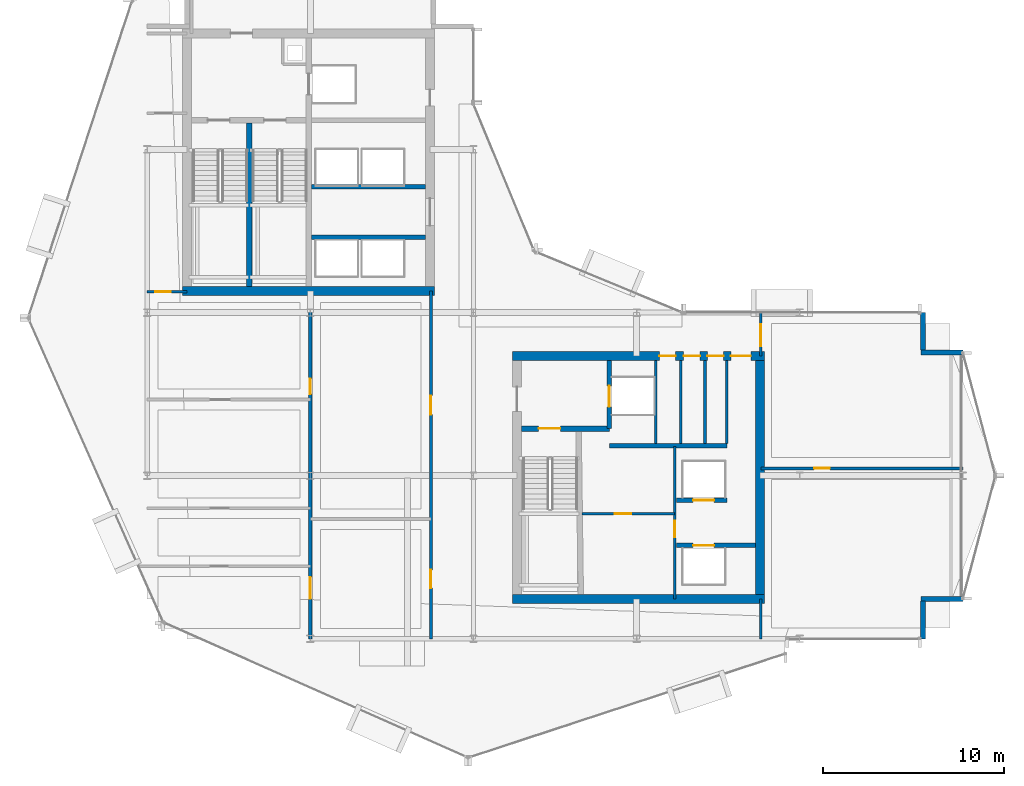
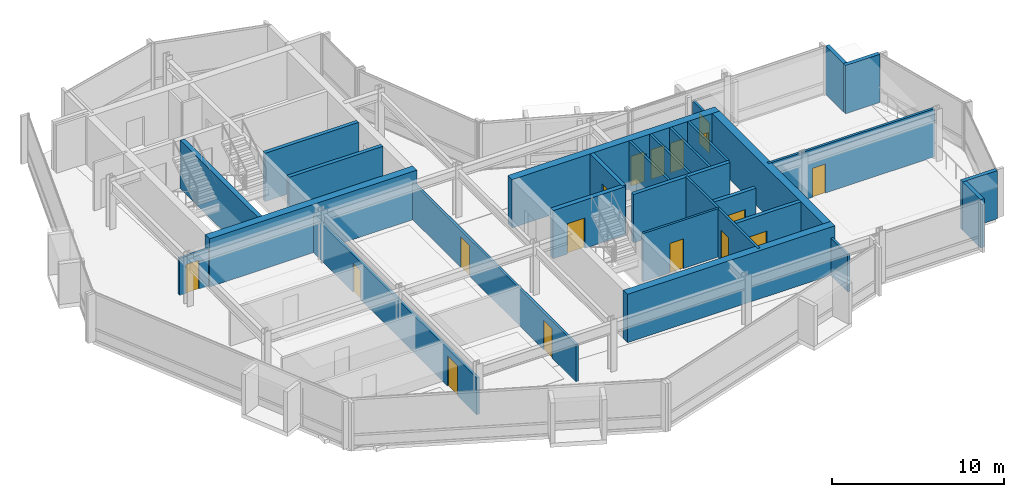
# One storey, part 20 of 27: 28 walls, 17 doors, 17 openings.
"""IFC4 building model written with IfcOpenShell, lengths in metres."""

from ifc_helpers import new_model, si_unit, direction, frame, frame_2d, origin, place, context, subcontext, project, spatial, rectangle, extrude, material, layer, layer_set, type_object, element, fill, save


model = new_model("IFC4")

# Units and contexts
model_context = context("Model", 3, precision=1e-05, world=origin(), true_north=direction((0.0, 1.0)))
body_context = subcontext(model_context, "Body", "Model", "MODEL_VIEW")
ifc_project = project(units=[si_unit("LENGTHUNIT", "METRE"), si_unit("AREAUNIT", "SQUARE_METRE"), si_unit("VOLUMEUNIT", "CUBIC_METRE"), si_unit("PLANEANGLEUNIT", "RADIAN"), si_unit("MASSUNIT", "GRAM", prefix="KILO")], contexts=[model_context])

# Site, building, storey
site_placement = place(None, origin())
site = spatial("IfcSite", under=ifc_project, at=site_placement, CompositionType="ELEMENT")
building_placement = place(site_placement, origin())
building = spatial("IfcBuilding", under=site, at=building_placement, Name="Solvaryn Broadcast Tower", CompositionType="ELEMENT")
storey_placement = place(building_placement, frame((0.0, 0.0, 181.60009765625)))
storey = spatial("IfcBuildingStorey", under=building, at=storey_placement, Name="L45", CompositionType="ELEMENT", Elevation=181.60009765625)

# Walls
ifc_material_1 = material(Name="Concrete f'c 70 MPa", Category="concrete")
ifc_layer_1 = layer(ifc_material_1, 0.5)
ifc_layer_set_1 = layer_set([ifc_layer_1], Name="CW-SHEAR-500")
wall_type_1 = type_object("IfcWallType", Name="CW-SHEAR-500", PredefinedType="SHEAR", material=ifc_layer_set_1)
for number, where, z_axis, x_axis, name in (
    (1, (10.949951171875, 28.199951171875, 0.0), (0.0, 0.0, 1.0), (1.0, 0.0, 0.0), "L45 West Core South Shear Wall"),
    (2, (29.14990234375, 11.199951171875, 0.0), (0.0, 0.0, 1.0), (1.0, 0.0, 0.0), "L45 East Core South Shear Wall"),
):
    element("IfcWall", number, at=place(storey_placement, frame(where, z_axis=z_axis, x_axis=x_axis)), inside=storey, type_object=wall_type_1, Name=name, PredefinedType="SHEAR", context=body_context, shape_type="SweptSolid", body=[
        extrude(rectangle(XDim=13.900146484375, YDim=0.5, at=frame_2d((6.9501953125, 0.0))), origin(), (0.0, 0.0, 1.0), 3.419921875),
    ])

# Wall, openings, doors
wall_1_placement = place(storey_placement, frame((43.050048828125, 24.60009765625, 0.0), z_axis=(0.0, 0.0, 1.0), x_axis=(-1.0, 0.0, 0.0)))
wall_1 = element("IfcWall", 3, at=wall_1_placement, inside=storey, type_object=wall_type_1, Name="L45 East Core North Shear Wall", PredefinedType="SHEAR", context=body_context, shape_type="SweptSolid", body=[
    extrude(rectangle(XDim=13.900146484375, YDim=0.5, at=frame_2d((6.9501953125, 0.0))), origin(), (0.0, 0.0, 1.0), 3.419921875),
])
opening_1_placement = place(wall_1_placement, frame((0.75, 0.0, 0.0)))
opening_1 = element("IfcOpeningElement", 4, at=opening_1_placement, cuts=wall_1, Name="Opening FD90C", PredefinedType="OPENING", context=body_context, shape_type="SweptSolid", body=[
    extrude(rectangle(XDim=1.10009765625, YDim=2.14990234375, at=frame_2d((0.550048828125, 1.074951171875))), frame((0.0, 0.260009765625, 0.0), z_axis=(0.0, -1.0, 0.0), x_axis=(1.0, 0.0, 0.0)), (0.0, 0.0, 1.0), 0.52001953125),
])
opening_2_placement = place(wall_1_placement, frame((2.25, 0.0, 0.0)))
opening_2 = element("IfcOpeningElement", 5, at=opening_2_placement, cuts=wall_1, Name="Opening FD60C", PredefinedType="OPENING", context=body_context, shape_type="SweptSolid", body=[
    extrude(rectangle(XDim=0.89990234375, YDim=2.10009765625, at=frame_2d((0.449951171875, 1.050048828125))), frame((0.0, 0.260009765625, 0.0), z_axis=(0.0, -1.0, 0.0), x_axis=(1.0, 0.0, 0.0)), (0.0, 0.0, 1.0), 0.52001953125),
])
opening_3_placement = place(wall_1_placement, frame((3.550048828125, 0.0, 0.0)))
opening_3 = element("IfcOpeningElement", 6, at=opening_3_placement, cuts=wall_1, Name="Opening FD60C", PredefinedType="OPENING", context=body_context, shape_type="SweptSolid", body=[
    extrude(rectangle(XDim=0.89990234375, YDim=2.10009765625, at=frame_2d((0.449951171875, 1.050048828125))), frame((0.0, 0.260009765625, 0.0), z_axis=(0.0, -1.0, 0.0), x_axis=(1.0, 0.0, 0.0)), (0.0, 0.0, 1.0), 0.52001953125),
])
opening_4_placement = place(wall_1_placement, frame((4.89990234375, 0.0, 0.0)))
opening_4 = element("IfcOpeningElement", 7, at=opening_4_placement, cuts=wall_1, Name="Opening FD60C", PredefinedType="OPENING", context=body_context, shape_type="SweptSolid", body=[
    extrude(rectangle(XDim=0.89990234375, YDim=2.10009765625, at=frame_2d((0.449951171875, 1.050048828125))), frame((0.0, 0.260009765625, 0.0), z_axis=(0.0, -1.0, 0.0), x_axis=(1.0, 0.0, 0.0)), (0.0, 0.0, 1.0), 0.52001953125),
])
ifc_material_2 = material(Name="Flush Acoustic Steel and Timber Door Assembly", Category="steel")
door_type_1 = type_object("IfcDoorType", Name="FD60-SERV-900X2100", OperationType="NOTDEFINED", PredefinedType="DOOR", material=ifc_material_2)
door_1_placement = place(opening_2_placement, origin())
door_1 = element("IfcDoor", 8, at=door_1_placement, inside=storey, type_object=door_type_1, Name="L45 Core Wellness Room Door", OperationType="SINGLE_SWING_RIGHT", OverallHeight=2.10009765625, OverallWidth=0.89990234375, PredefinedType="DOOR", context=body_context, shape_type="SweptSolid", body=[
    extrude(rectangle(XDim=0.89990234375, YDim=2.10009765625, at=frame_2d((0.449951171875, 1.050048828125))), frame((0.0, 0.02490234375, 0.0), z_axis=(0.0, -1.0, 0.0), x_axis=(1.0, 0.0, 0.0)), (0.0, 0.0, 1.0), 0.050048828125),
])
fill(opening_2, door_1)
door_2_placement = place(opening_3_placement, origin())
door_2 = element("IfcDoor", 9, at=door_2_placement, inside=storey, type_object=door_type_1, Name="L45 Staff Restroom Door", OperationType="SINGLE_SWING_LEFT", OverallHeight=2.10009765625, OverallWidth=0.89990234375, PredefinedType="DOOR", context=body_context, shape_type="SweptSolid", body=[
    extrude(rectangle(XDim=0.89990234375, YDim=2.10009765625, at=frame_2d((0.449951171875, 1.050048828125))), frame((0.0, 0.02490234375, 0.0), z_axis=(0.0, -1.0, 0.0), x_axis=(1.0, 0.0, 0.0)), (0.0, 0.0, 1.0), 0.050048828125),
])
fill(opening_3, door_2)
door_3_placement = place(opening_4_placement, origin())
door_3 = element("IfcDoor", 10, at=door_3_placement, inside=storey, type_object=door_type_1, Name="L45 Accessible WC Door", OperationType="SINGLE_SWING_RIGHT", OverallHeight=2.10009765625, OverallWidth=0.89990234375, PredefinedType="DOOR", context=body_context, shape_type="SweptSolid", body=[
    extrude(rectangle(XDim=0.89990234375, YDim=2.10009765625, at=frame_2d((0.449951171875, 1.050048828125))), frame((0.0, 0.02490234375, 0.0), z_axis=(0.0, -1.0, 0.0), x_axis=(1.0, 0.0, 0.0)), (0.0, 0.0, 1.0), 0.050048828125),
])
fill(opening_4, door_3)
ifc_material_3 = material(Name="Flush Acoustic Steel and Timber Door Assembly", Category="steel")
door_type_2 = type_object("IfcDoorType", Name="FD90-PLANT-1100X2150", OperationType="NOTDEFINED", PredefinedType="DOOR", material=ifc_material_3)
door_4_placement = place(opening_1_placement, origin())
door_4 = element("IfcDoor", 11, at=door_4_placement, inside=storey, type_object=door_type_2, Name="L45 East Core Lobby Corridor Door", OperationType="SINGLE_SWING_LEFT", OverallHeight=2.14990234375, OverallWidth=1.10009765625, PredefinedType="DOOR", context=body_context, shape_type="SweptSolid", body=[
    extrude(rectangle(XDim=1.10009765625, YDim=2.14990234375, at=frame_2d((0.550048828125, 1.074951171875))), frame((0.0, 0.02490234375, 0.0), z_axis=(0.0, -1.0, 0.0), x_axis=(1.0, 0.0, 0.0)), (0.0, 0.0, 1.0), 0.050048828125),
])
fill(opening_1, door_4)

# Walls
wall_2_placement = place(storey_placement, frame((42.800048828125, 11.449951171875, 0.0), z_axis=(0.0, 0.0, 1.0), x_axis=(0.0, 1.0, 0.0)))
element("IfcWall", 12, at=wall_2_placement, inside=storey, type_object=wall_type_1, Name="L45 East Core East Shear Wall", PredefinedType="SHEAR", context=body_context, shape_type="SweptSolid", body=[
    extrude(rectangle(XDim=12.900146484375, YDim=0.5, at=frame_2d((6.4501953125, 0.0))), origin(), (0.0, 0.0, 1.0), 3.419921875),
])
ifc_material_4 = material(Name="Concrete f'c 50 MPa", Category="concrete")
ifc_layer_2 = layer(ifc_material_4, 0.260009765625)
ifc_layer_set_2 = layer_set([ifc_layer_2], Name="EW-PIER-260")
wall_type_2 = type_object("IfcWallType", Name="EW-PIER-260", PredefinedType="SOLIDWALL", material=ifc_layer_set_2)
wall_3_placement = place(storey_placement, frame((51.800048828125, 9.0, 0.0), z_axis=(0.0, 0.0, 1.0), x_axis=(0.0, 1.0, 0.0)))
element("IfcWall", 13, at=wall_3_placement, inside=storey, type_object=wall_type_2, Name="L45 Notched Corner Pier Wall NSE1", PredefinedType="SOLIDWALL", context=body_context, shape_type="SweptSolid", body=[
    extrude(rectangle(XDim=2.080078125, YDim=0.260009765625, at=frame_2d((1.0400390625, 0.0))), origin(), (0.0, 0.0, 1.0), 3.419921875),
])
for number, where, z_axis, x_axis, name in (
    (14, (51.679931640625, 11.199951171875, 0.0), (0.0, 0.0, 1.0), (1.0, 0.0, 0.0), "L45 Notched Corner Pier Wall NSE2"),
    (15, (54.0, 24.800048828125, 0.0), (0.0, 0.0, 1.0), (-1.0, 0.0, 0.0), "L45 Notched Corner Pier Wall NEE1"),
):
    element("IfcWall", number, at=place(storey_placement, frame(where, z_axis=z_axis, x_axis=x_axis)), inside=storey, type_object=wall_type_2, Name=name, PredefinedType="SOLIDWALL", context=body_context, shape_type="SweptSolid", body=[
        extrude(rectangle(XDim=2.320068359375, YDim=0.260009765625, at=frame_2d((1.16015625, 0.0))), origin(), (0.0, 0.0, 1.0), 3.419921875),
    ])
wall_4_placement = place(storey_placement, frame((51.800048828125, 24.919921875, 0.0), z_axis=(0.0, 0.0, 1.0), x_axis=(0.0, 1.0, 0.0)))
element("IfcWall", 16, at=wall_4_placement, inside=storey, type_object=wall_type_2, Name="L45 Notched Corner Pier Wall NEE2", PredefinedType="SOLIDWALL", context=body_context, shape_type="SweptSolid", body=[
    extrude(rectangle(XDim=2.080078125, YDim=0.260009765625, at=frame_2d((1.0400390625, 0.0))), origin(), (0.0, 0.0, 1.0), 3.419921875),
])

# Wall, opening, door
ifc_material_5 = material(Name="Metal-Stud Service Core Partition")
ifc_layer_3 = layer(ifc_material_5, 0.14990234375)
ifc_layer_set_3 = layer_set([ifc_layer_3], Name="IW-PART-150")
wall_type_3 = type_object("IfcWallType", Name="IW-PART-150", PredefinedType="PARTITIONING", material=ifc_layer_set_3)
wall_5_placement = place(storey_placement, frame((33.0, 15.89990234375, 0.0), z_axis=(0.0, 0.0, 1.0), x_axis=(1.0, 0.0, 0.0)))
wall_5 = element("IfcWall", 17, at=wall_5_placement, inside=storey, type_object=wall_type_3, Name="L45 Interior Partition IW-L45-RPL-H", PredefinedType="PARTITIONING", context=body_context, shape_type="SweptSolid", body=[
    extrude(rectangle(XDim=5.10009765625, YDim=0.14990234375, at=frame_2d((2.550048828125, 0.0))), origin(), (0.0, 0.0, 1.0), 3.419921875),
])
opening_5_placement = place(wall_5_placement, frame((1.800048828125, 0.0, 0.0)))
opening_5 = element("IfcOpeningElement", 18, at=opening_5_placement, cuts=wall_5, Name="Opening FD60C", PredefinedType="OPENING", context=body_context, shape_type="SweptSolid", body=[
    extrude(rectangle(XDim=0.89990234375, YDim=2.10009765625, at=frame_2d((0.449951171875, 1.050048828125))), frame((0.0, 0.0849609375, 0.0), z_axis=(0.0, -1.0, 0.0), x_axis=(1.0, 0.0, 0.0)), (0.0, 0.0, 1.0), 0.169921875),
])
door_5_placement = place(opening_5_placement, origin())
door_5 = element("IfcDoor", 19, at=door_5_placement, inside=storey, type_object=door_type_1, Name="L45 Door DR-L45-RPL1", OperationType="SINGLE_SWING_LEFT", OverallHeight=2.10009765625, OverallWidth=0.89990234375, PredefinedType="DOOR", context=body_context, shape_type="SweptSolid", body=[
    extrude(rectangle(XDim=0.89990234375, YDim=2.10009765625, at=frame_2d((0.449951171875, 1.050048828125))), frame((0.0, 0.02490234375, 0.0), z_axis=(0.0, -1.0, 0.0), x_axis=(1.0, 0.0, 0.0)), (0.0, 0.0, 1.0), 0.050048828125),
])
fill(opening_5, door_5)

wall_6_placement = place(storey_placement, frame((38.10009765625, 11.199951171875, 0.0), z_axis=(0.0, 0.0, 1.0), x_axis=(0.0, 1.0, 0.0)))
wall_6 = element("IfcWall", 20, at=wall_6_placement, inside=storey, type_object=wall_type_3, Name="L45 Interior Partition IW-L45-RPL-E", PredefinedType="PARTITIONING", context=body_context, shape_type="SweptSolid", body=[
    extrude(rectangle(XDim=8.400146484375, YDim=0.14990234375, at=frame_2d((4.2001953125, 0.0))), origin(), (0.0, 0.0, 1.0), 3.419921875),
])
opening_6_placement = place(wall_6_placement, frame((3.39990234375, 0.0, 0.0)))
opening_6 = element("IfcOpeningElement", 21, at=opening_6_placement, cuts=wall_6, Name="Opening FD60C", PredefinedType="OPENING", context=body_context, shape_type="SweptSolid", body=[
    extrude(rectangle(XDim=0.89990234375, YDim=2.10009765625, at=frame_2d((0.449951171875, 1.050048828125))), frame((0.0, 0.0849609375, 0.0), z_axis=(0.0, -1.0, 0.0), x_axis=(1.0, 0.0, 0.0)), (0.0, 0.0, 1.0), 0.169921875),
])
door_6_placement = place(opening_6_placement, origin())
door_6 = element("IfcDoor", 22, at=door_6_placement, inside=storey, type_object=door_type_1, Name="L45 Door DR-L45-RPL2", OperationType="SINGLE_SWING_RIGHT", OverallHeight=2.10009765625, OverallWidth=0.89990234375, PredefinedType="DOOR", context=body_context, shape_type="SweptSolid", body=[
    extrude(rectangle(XDim=0.89990234375, YDim=2.10009765625, at=frame_2d((0.449951171875, 1.050048828125))), frame((0.0, 0.02490234375, 0.0), z_axis=(0.0, -1.0, 0.0), x_axis=(1.0, 0.0, 0.0)), (0.0, 0.0, 1.0), 0.050048828125),
])
fill(opening_6, door_6)

# Walls
for number, where, z_axis, x_axis, name in (
    (23, (37.050048828125, 19.780029296875, 0.0), (0.0, 0.0, 1.0), (0.0, 1.0, 0.0), "L45 Interior Partition IW-L45-CE-FL2E"),
    (24, (38.43994140625, 19.780029296875, 0.0), (0.0, 0.0, 1.0), (0.0, 1.0, 0.0), "L45 Interior Partition IW-L45-CE-V1"),
    (25, (39.77001953125, 19.780029296875, 0.0), (0.0, 0.0, 1.0), (0.0, 1.0, 0.0), "L45 Interior Partition IW-L45-CE-V2"),
    (26, (40.97998046875, 19.780029296875, 0.0), (0.0, 0.0, 1.0), (0.0, 1.0, 0.0), "L45 Interior Partition IW-L45-CE-V3"),
):
    element("IfcWall", number, at=place(storey_placement, frame(where, z_axis=z_axis, x_axis=x_axis)), inside=storey, type_object=wall_type_3, Name=name, PredefinedType="PARTITIONING", context=body_context, shape_type="SweptSolid", body=[
        extrude(rectangle(XDim=4.570068359375, YDim=0.14990234375, at=frame_2d((2.28515625, 0.0))), origin(), (0.0, 0.0, 1.0), 3.419921875),
    ])

# Wall, opening, door
ifc_material_6 = material(Name="Metal-Stud Gypsum Office Partition")
ifc_layer_4 = layer(ifc_material_6, 0.159912109375)
ifc_layer_set_4 = layer_set([ifc_layer_4], Name="IW-PART-160")
wall_type_4 = type_object("IfcWallType", Name="IW-PART-160", PredefinedType="PARTITIONING", material=ifc_layer_set_4)
wall_7_placement = place(storey_placement, frame((9.0, 28.14990234375, 0.0), z_axis=(0.0, 0.0, 1.0), x_axis=(1.0, 0.0, 0.0)))
wall_7 = element("IfcWall", 27, at=wall_7_placement, inside=storey, type_object=wall_type_4, Name="L45 Interior Partition IW-L45-WM-S", PredefinedType="PARTITIONING", context=body_context, shape_type="SweptSolid", body=[
    extrude(rectangle(XDim=2.199951171875, YDim=0.159912109375, at=frame_2d((1.10009765625, 0.0))), origin(), (0.0, 0.0, 1.0), 2.6337890625),
])
opening_7_placement = place(wall_7_placement, frame((0.449951171875, 0.0, 0.0)))
opening_7 = element("IfcOpeningElement", 28, at=opening_7_placement, cuts=wall_7, Name="Opening ID07", PredefinedType="OPENING", context=body_context, shape_type="SweptSolid", body=[
    extrude(rectangle(XDim=0.860107421875, YDim=2.050048828125, at=frame_2d((0.43017578125, 1.02490234375))), frame((0.0, 0.090087890625, 0.0), z_axis=(0.0, -1.0, 0.0), x_axis=(1.0, 0.0, 0.0)), (0.0, 0.0, 1.0), 0.179931640625),
])
ifc_material_7 = material(Name="Flush Acoustic Steel and Timber Door Assembly", Category="steel")
door_type_3 = type_object("IfcDoorType", Name="ID-07-860X2050", OperationType="NOTDEFINED", PredefinedType="DOOR", material=ifc_material_7)
door_7_placement = place(opening_7_placement, origin())
door_7 = element("IfcDoor", 29, at=door_7_placement, inside=storey, type_object=door_type_3, Name="L45 Door DR-L45-WM0", OperationType="SINGLE_SWING_RIGHT", OverallHeight=2.050048828125, OverallWidth=0.860107421875, PredefinedType="DOOR", context=body_context, shape_type="SweptSolid", body=[
    extrude(rectangle(XDim=0.860107421875, YDim=2.050048828125, at=frame_2d((0.43017578125, 1.02490234375))), frame((0.0, 0.02490234375, 0.0), z_axis=(0.0, -1.0, 0.0), x_axis=(1.0, 0.0, 0.0)), (0.0, 0.0, 1.0), 0.050048828125),
])
fill(opening_7, door_7)

# Wall, openings, doors
wall_8_placement = place(storey_placement, frame((24.64990234375, 9.0, 0.0), z_axis=(0.0, 0.0, 1.0), x_axis=(0.0, 1.0, 0.0)))
wall_8 = element("IfcWall", 30, at=wall_8_placement, inside=storey, type_object=wall_type_4, Name="L45 Interior Partition IW-L45-SW-EB", PredefinedType="PARTITIONING", context=body_context, shape_type="SweptSolid", body=[
    extrude(rectangle(XDim=19.199951171875, YDim=0.159912109375, at=frame_2d((9.60009765625, 0.0))), origin(), (0.0, 0.0, 1.0), 2.6337890625),
])
opening_8_placement = place(wall_8_placement, frame((2.800048828125, 0.0, 0.0)))
opening_8 = element("IfcOpeningElement", 31, at=opening_8_placement, cuts=wall_8, Name="Opening ID02", PredefinedType="OPENING", context=body_context, shape_type="SweptSolid", body=[
    extrude(rectangle(XDim=1.0, YDim=2.10009765625, at=frame_2d((0.5, 1.050048828125))), frame((0.0, 0.090087890625, 0.0), z_axis=(0.0, -1.0, 0.0), x_axis=(1.0, 0.0, 0.0)), (0.0, 0.0, 1.0), 0.179931640625),
])
opening_9_placement = place(wall_8_placement, frame((12.364990234375, 0.0, 0.0)))
opening_9 = element("IfcOpeningElement", 32, at=opening_9_placement, cuts=wall_8, Name="Opening ID03", PredefinedType="OPENING", context=body_context, shape_type="SweptSolid", body=[
    extrude(rectangle(XDim=1.050048828125, YDim=2.14990234375, at=frame_2d((0.52490234375, 1.074951171875))), frame((0.0, 0.090087890625, 0.0), z_axis=(0.0, -1.0, 0.0), x_axis=(1.0, 0.0, 0.0)), (0.0, 0.0, 1.0), 0.179931640625),
])
ifc_material_8 = material(Name="Flush Acoustic Steel and Timber Door Assembly", Category="steel")
door_type_4 = type_object("IfcDoorType", Name="ID-02-1000X2100", OperationType="NOTDEFINED", PredefinedType="DOOR", material=ifc_material_8)
door_8_placement = place(opening_8_placement, origin())
door_8 = element("IfcDoor", 33, at=door_8_placement, inside=storey, type_object=door_type_4, Name="L45 Door DR-L45-SWE-1", OperationType="SINGLE_SWING_RIGHT", OverallHeight=2.10009765625, OverallWidth=1.0, PredefinedType="DOOR", context=body_context, shape_type="SweptSolid", body=[
    extrude(rectangle(XDim=1.0, YDim=2.10009765625, at=frame_2d((0.5, 1.050048828125))), frame((0.0, 0.02490234375, 0.0), z_axis=(0.0, -1.0, 0.0), x_axis=(1.0, 0.0, 0.0)), (0.0, 0.0, 1.0), 0.050048828125),
])
fill(opening_8, door_8)
ifc_material_9 = material(Name="Flush Acoustic Steel and Timber Door Assembly", Category="steel")
door_type_5 = type_object("IfcDoorType", Name="ID-03-1050X2150", OperationType="NOTDEFINED", PredefinedType="DOOR", material=ifc_material_9)
door_9_placement = place(opening_9_placement, origin())
door_9 = element("IfcDoor", 34, at=door_9_placement, inside=storey, type_object=door_type_5, Name="L45 Door DR-L45-SWE-2", OperationType="SINGLE_SWING_LEFT", OverallHeight=2.14990234375, OverallWidth=1.050048828125, PredefinedType="DOOR", context=body_context, shape_type="SweptSolid", body=[
    extrude(rectangle(XDim=1.050048828125, YDim=2.14990234375, at=frame_2d((0.52490234375, 1.074951171875))), frame((0.0, 0.02490234375, 0.0), z_axis=(0.0, -1.0, 0.0), x_axis=(1.0, 0.0, 0.0)), (0.0, 0.0, 1.0), 0.050048828125),
])
fill(opening_9, door_9)

# Wall
wall_9_placement = place(storey_placement, frame((42.85009765625, 9.0, 0.0), z_axis=(0.0, 0.0, 1.0), x_axis=(0.0, 1.0, 0.0)))
element("IfcWall", 35, at=wall_9_placement, inside=storey, type_object=wall_type_4, Name="L45 Interior Partition IW-L45-SC-E", PredefinedType="PARTITIONING", context=body_context, shape_type="SweptSolid", body=[
    extrude(rectangle(XDim=2.199951171875, YDim=0.159912109375, at=frame_2d((1.10009765625, 0.0))), origin(), (0.0, 0.0, 1.0), 2.6337890625),
])

# Wall, opening, door
wall_10_placement = place(storey_placement, frame((42.85009765625, 24.60009765625, 0.0), z_axis=(0.0, 0.0, 1.0), x_axis=(0.0, 1.0, 0.0)))
wall_10 = element("IfcWall", 36, at=wall_10_placement, inside=storey, type_object=wall_type_4, Name="L45 Interior Partition IW-L45-EW-BN", PredefinedType="PARTITIONING", context=body_context, shape_type="SweptSolid", body=[
    extrude(rectangle(XDim=2.39990234375, YDim=0.159912109375, at=frame_2d((1.199951171875, 0.0))), origin(), (0.0, 0.0, 1.0), 2.6337890625),
])
opening_10_placement = place(wall_10_placement, frame((0.550048828125, 0.0, 0.0)))
opening_10 = element("IfcOpeningElement", 37, at=opening_10_placement, cuts=wall_10, Name="Opening ID04", PredefinedType="OPENING", context=body_context, shape_type="SweptSolid", body=[
    extrude(rectangle(XDim=1.199951171875, YDim=2.14990234375, at=frame_2d((0.60009765625, 1.074951171875))), frame((0.0, 0.090087890625, 0.0), z_axis=(0.0, -1.0, 0.0), x_axis=(1.0, 0.0, 0.0)), (0.0, 0.0, 1.0), 0.179931640625),
])
ifc_material_10 = material(Name="Flush Acoustic Steel and Timber Door Assembly", Category="steel")
door_type_6 = type_object("IfcDoorType", Name="ID-04-1200X2150", OperationType="NOTDEFINED", PredefinedType="DOOR", material=ifc_material_10)
door_10_placement = place(opening_10_placement, origin())
door_10 = element("IfcDoor", 38, at=door_10_placement, inside=storey, type_object=door_type_6, Name="L45 Door DR-L45-EW0", OperationType="SINGLE_SWING_LEFT", OverallHeight=2.14990234375, OverallWidth=1.199951171875, PredefinedType="DOOR", context=body_context, shape_type="SweptSolid", body=[
    extrude(rectangle(XDim=1.199951171875, YDim=2.14990234375, at=frame_2d((0.60009765625, 1.074951171875))), frame((0.0, 0.02490234375, 0.0), z_axis=(0.0, -1.0, 0.0), x_axis=(1.0, 0.0, 0.0)), (0.0, 0.0, 1.0), 0.050048828125),
])
fill(opening_10, door_10)

wall_11_placement = place(storey_placement, frame((42.85009765625, 18.39990234375, 0.0), z_axis=(0.0, 0.0, 1.0), x_axis=(1.0, 0.0, 0.0)))
wall_11 = element("IfcWall", 39, at=wall_11_placement, inside=storey, type_object=wall_type_4, Name="L45 Interior Partition IW-L45-EW-H1", PredefinedType="PARTITIONING", context=body_context, shape_type="SweptSolid", body=[
    extrude(rectangle(XDim=11.14990234375, YDim=0.159912109375, at=frame_2d((5.574951171875, 0.0))), origin(), (0.0, 0.0, 1.0), 3.419921875),
])
opening_11_placement = place(wall_11_placement, frame((2.949951171875, 0.0, 0.0)))
opening_11 = element("IfcOpeningElement", 40, at=opening_11_placement, cuts=wall_11, Name="Opening ID07", PredefinedType="OPENING", context=body_context, shape_type="SweptSolid", body=[
    extrude(rectangle(XDim=0.860107421875, YDim=2.050048828125, at=frame_2d((0.43017578125, 1.02490234375))), frame((0.0, 0.090087890625, 0.0), z_axis=(0.0, -1.0, 0.0), x_axis=(1.0, 0.0, 0.0)), (0.0, 0.0, 1.0), 0.179931640625),
])
door_11_placement = place(opening_11_placement, origin())
door_11 = element("IfcDoor", 41, at=door_11_placement, inside=storey, type_object=door_type_3, Name="L45 Door DR-L45-EW-1", OperationType="SINGLE_SWING_RIGHT", OverallHeight=2.050048828125, OverallWidth=0.860107421875, PredefinedType="DOOR", context=body_context, shape_type="SweptSolid", body=[
    extrude(rectangle(XDim=0.860107421875, YDim=2.050048828125, at=frame_2d((0.43017578125, 1.02490234375))), frame((0.0, 0.02490234375, 0.0), z_axis=(0.0, -1.0, 0.0), x_axis=(1.0, 0.0, 0.0)), (0.0, 0.0, 1.0), 0.050048828125),
])
fill(opening_11, door_11)

# Wall, openings, doors
ifc_material_11 = material(Name="Acoustic Metal-Stud Gypsum Partition")
ifc_layer_5 = layer(ifc_material_11, 0.179931640625)
ifc_layer_set_5 = layer_set([ifc_layer_5], Name="IW-PART-180")
wall_type_5 = type_object("IfcWallType", Name="IW-PART-180", PredefinedType="PARTITIONING", material=ifc_layer_set_5)
wall_12_placement = place(storey_placement, frame((18.0, 9.0, 0.0), z_axis=(0.0, 0.0, 1.0), x_axis=(0.0, 1.0, 0.0)))
wall_12 = element("IfcWall", 42, at=wall_12_placement, inside=storey, type_object=wall_type_5, Name="L45 Interior Partition IW-L45-SW-VX", PredefinedType="PARTITIONING", context=body_context, shape_type="SweptSolid", body=[
    extrude(rectangle(XDim=19.1298828125, YDim=0.179931640625, at=frame_2d((9.56494140625, 0.0))), origin(), (0.0, 0.0, 1.0), 2.6337890625),
])
opening_12_placement = place(wall_12_placement, frame((2.199951171875, 0.0, 0.0)))
opening_12 = element("IfcOpeningElement", 43, at=opening_12_placement, cuts=wall_12, Name="Opening ID04", PredefinedType="OPENING", context=body_context, shape_type="SweptSolid", body=[
    extrude(rectangle(XDim=1.199951171875, YDim=2.14990234375, at=frame_2d((0.60009765625, 1.074951171875))), frame((0.0, 0.099853515625, 0.0), z_axis=(0.0, -1.0, 0.0), x_axis=(1.0, 0.0, 0.0)), (0.0, 0.0, 1.0), 0.199951171875),
])
opening_13_placement = place(wall_12_placement, frame((13.5, 0.0, 0.0)))
opening_13 = element("IfcOpeningElement", 44, at=opening_13_placement, cuts=wall_12, Name="Opening ID07", PredefinedType="OPENING", context=body_context, shape_type="SweptSolid", body=[
    extrude(rectangle(XDim=0.860107421875, YDim=2.050048828125, at=frame_2d((0.43017578125, 1.02490234375))), frame((0.0, 0.099853515625, 0.0), z_axis=(0.0, -1.0, 0.0), x_axis=(1.0, 0.0, 0.0)), (0.0, 0.0, 1.0), 0.199951171875),
])
door_12_placement = place(opening_12_placement, origin())
door_12 = element("IfcDoor", 45, at=door_12_placement, inside=storey, type_object=door_type_6, Name="L45 Door DR-L45-SWW-X1", OperationType="SINGLE_SWING_RIGHT", OverallHeight=2.14990234375, OverallWidth=1.199951171875, PredefinedType="DOOR", context=body_context, shape_type="SweptSolid", body=[
    extrude(rectangle(XDim=1.199951171875, YDim=2.14990234375, at=frame_2d((0.60009765625, 1.074951171875))), frame((0.0, 0.02490234375, 0.0), z_axis=(0.0, -1.0, 0.0), x_axis=(1.0, 0.0, 0.0)), (0.0, 0.0, 1.0), 0.050048828125),
])
fill(opening_12, door_12)
door_13_placement = place(opening_13_placement, origin())
door_13 = element("IfcDoor", 46, at=door_13_placement, inside=storey, type_object=door_type_3, Name="L45 Door DR-L45-SWW-X2", OperationType="SINGLE_SWING_LEFT", OverallHeight=2.050048828125, OverallWidth=0.860107421875, PredefinedType="DOOR", context=body_context, shape_type="SweptSolid", body=[
    extrude(rectangle(XDim=0.860107421875, YDim=2.050048828125, at=frame_2d((0.43017578125, 1.02490234375))), frame((0.0, 0.02490234375, 0.0), z_axis=(0.0, -1.0, 0.0), x_axis=(1.0, 0.0, 0.0)), (0.0, 0.0, 1.0), 0.050048828125),
])
fill(opening_13, door_13)

# Walls
ifc_material_12 = material(Name="Concrete f'c 60 MPa", Category="concrete")
ifc_layer_6 = layer(ifc_material_12, 0.25)
ifc_layer_set_6 = layer_set([ifc_layer_6], Name="SW-SHAFT-250")
wall_type_6 = type_object("IfcWallType", Name="SW-SHAFT-250", PredefinedType="PARTITIONING", material=ifc_layer_set_6)
for number, where, z_axis, x_axis, name in (
    (47, (18.070068359375, 31.14990234375, 0.0), (0.0, 0.0, 1.0), (1.0, 0.0, 0.0), "L45 High-Rise Lift Bank South Wall"),
    (48, (24.35009765625, 33.949951171875, 0.0), (0.0, 0.0, 1.0), (-1.0, 0.0, 0.0), "L45 High-Rise Lift Bank North Wall"),
):
    element("IfcWall", number, at=place(storey_placement, frame(where, z_axis=z_axis, x_axis=x_axis)), inside=storey, type_object=wall_type_6, Name=name, PredefinedType="PARTITIONING", context=body_context, shape_type="SweptSolid", body=[
        extrude(rectangle(XDim=6.280029296875, YDim=0.25, at=frame_2d((3.14013671875, 0.0))), origin(), (0.0, 0.0, 1.0), 3.419921875),
    ])

# Wall, opening, door
wall_13_placement = place(storey_placement, frame((34.5, 20.60009765625, 0.0), z_axis=(0.0, 0.0, 1.0), x_axis=(0.0, 1.0, 0.0)))
wall_13 = element("IfcWall", 49, at=wall_13_placement, inside=storey, type_object=wall_type_6, Name="L45 East FSAE Lobby East Wall", PredefinedType="PARTITIONING", context=body_context, shape_type="SweptSolid", body=[
    extrude(rectangle(XDim=3.75, YDim=0.25, at=frame_2d((1.875, 0.0))), origin(), (0.0, 0.0, 1.0), 3.419921875),
])
opening_14_placement = place(wall_13_placement, frame((1.199951171875, 0.0, 0.0)))
opening_14 = element("IfcOpeningElement", 50, at=opening_14_placement, cuts=wall_13, Name="Opening LD01", PredefinedType="OPENING", context=body_context, shape_type="SweptSolid", body=[
    extrude(rectangle(XDim=1.14990234375, YDim=2.14990234375, at=frame_2d((0.574951171875, 1.074951171875))), frame((0.0, 0.135009765625, 0.0), z_axis=(0.0, -1.0, 0.0), x_axis=(1.0, 0.0, 0.0)), (0.0, 0.0, 1.0), 0.27001953125),
])
ifc_material_13 = material(Name="Flush Acoustic Steel and Timber Door Assembly", Category="steel")
door_type_7 = type_object("IfcDoorType", Name="LD-LIFT-1150X2150", OperationType="NOTDEFINED", PredefinedType="DOOR", material=ifc_material_13)
door_14_placement = place(opening_14_placement, origin())
door_14 = element("IfcDoor", 51, at=door_14_placement, inside=storey, type_object=door_type_7, Name="L45 FL2 Lift Landing Door", OperationType="DOUBLE_DOOR_SLIDING", OverallHeight=2.14990234375, OverallWidth=1.14990234375, PredefinedType="DOOR", context=body_context, shape_type="SweptSolid", body=[
    extrude(rectangle(XDim=1.14990234375, YDim=2.14990234375, at=frame_2d((0.574951171875, 1.074951171875))), frame((0.0, 0.02490234375, 0.0), z_axis=(0.0, -1.0, 0.0), x_axis=(1.0, 0.0, 0.0)), (0.0, 0.0, 1.0), 0.050048828125),
])
fill(opening_14, door_14)

# Wall
wall_14_placement = place(storey_placement, frame((34.5, 19.64990234375, 0.0), z_axis=(0.0, 0.0, 1.0), x_axis=(1.0, 0.0, 0.0)))
element("IfcWall", 52, at=wall_14_placement, inside=storey, type_object=wall_type_6, Name="L45 East Core Restroom South Wall", PredefinedType="PARTITIONING", context=body_context, shape_type="SweptSolid", body=[
    extrude(rectangle(XDim=6.47998046875, YDim=0.25, at=frame_2d((3.239990234375, 0.0))), origin(), (0.0, 0.0, 1.0), 3.419921875),
])

# Wall, opening, door
wall_15_placement = place(storey_placement, frame((38.199951171875, 14.14990234375, 0.0), z_axis=(0.0, 0.0, 1.0), x_axis=(1.0, 0.0, 0.0)))
wall_15 = element("IfcWall", 53, at=wall_15_placement, inside=storey, type_object=wall_type_6, Name="L45 East Lift Bank South Wall", PredefinedType="PARTITIONING", context=body_context, shape_type="SweptSolid", body=[
    extrude(rectangle(XDim=4.35009765625, YDim=0.25, at=frame_2d((2.175048828125, 0.0))), origin(), (0.0, 0.0, 1.0), 3.419921875),
])
opening_15_placement = place(wall_15_placement, frame((0.925048828125, 0.0, 0.0)))
opening_15 = element("IfcOpeningElement", 54, at=opening_15_placement, cuts=wall_15, Name="Opening LD01", PredefinedType="OPENING", context=body_context, shape_type="SweptSolid", body=[
    extrude(rectangle(XDim=1.14990234375, YDim=2.14990234375, at=frame_2d((0.574951171875, 1.074951171875))), frame((0.0, 0.135009765625, 0.0), z_axis=(0.0, -1.0, 0.0), x_axis=(1.0, 0.0, 0.0)), (0.0, 0.0, 1.0), 0.27001953125),
])
door_15_placement = place(opening_15_placement, origin())
door_15 = element("IfcDoor", 55, at=door_15_placement, inside=storey, type_object=door_type_7, Name="L45 PM1 Lift Landing Door", OperationType="DOUBLE_DOOR_SLIDING", OverallHeight=2.14990234375, OverallWidth=1.14990234375, PredefinedType="DOOR", context=body_context, shape_type="SweptSolid", body=[
    extrude(rectangle(XDim=1.14990234375, YDim=2.14990234375, at=frame_2d((0.574951171875, 1.074951171875))), frame((0.0, 0.02490234375, 0.0), z_axis=(0.0, -1.0, 0.0), x_axis=(1.0, 0.0, 0.0)), (0.0, 0.0, 1.0), 0.050048828125),
])
fill(opening_15, door_15)

wall_16_placement = place(storey_placement, frame((40.97998046875, 16.64990234375, 0.0), z_axis=(0.0, 0.0, 1.0), x_axis=(-1.0, 0.0, 0.0)))
wall_16 = element("IfcWall", 56, at=wall_16_placement, inside=storey, type_object=wall_type_6, Name="L45 East Lift Bank North Wall", PredefinedType="PARTITIONING", context=body_context, shape_type="SweptSolid", body=[
    extrude(rectangle(XDim=2.780029296875, YDim=0.25, at=frame_2d((1.39013671875, 0.0))), origin(), (0.0, 0.0, 1.0), 3.419921875),
])
opening_16_placement = place(wall_16_placement, frame((0.705078125, 0.0, 0.0)))
opening_16 = element("IfcOpeningElement", 57, at=opening_16_placement, cuts=wall_16, Name="Opening LD01", PredefinedType="OPENING", context=body_context, shape_type="SweptSolid", body=[
    extrude(rectangle(XDim=1.14990234375, YDim=2.14990234375, at=frame_2d((0.574951171875, 1.074951171875))), frame((0.0, 0.135009765625, 0.0), z_axis=(0.0, -1.0, 0.0), x_axis=(1.0, 0.0, 0.0)), (0.0, 0.0, 1.0), 0.27001953125),
])
door_16_placement = place(opening_16_placement, origin())
door_16 = element("IfcDoor", 58, at=door_16_placement, inside=storey, type_object=door_type_7, Name="L45 PM2 Lift Landing Door", OperationType="DOUBLE_DOOR_SLIDING", OverallHeight=2.14990234375, OverallWidth=1.14990234375, PredefinedType="DOOR", context=body_context, shape_type="SweptSolid", body=[
    extrude(rectangle(XDim=1.14990234375, YDim=2.14990234375, at=frame_2d((0.574951171875, 1.074951171875))), frame((0.0, 0.02490234375, 0.0), z_axis=(0.0, -1.0, 0.0), x_axis=(1.0, 0.0, 0.0)), (0.0, 0.0, 1.0), 0.050048828125),
])
fill(opening_16, door_16)

# Wall
ifc_material_14 = material(Name="Concrete f'c 70 MPa", Category="concrete")
ifc_layer_7 = layer(ifc_material_14, 0.300048828125)
ifc_layer_set_7 = layer_set([ifc_layer_7], Name="SW-SHAFT-300")
wall_type_7 = type_object("IfcWallType", Name="SW-SHAFT-300", PredefinedType="SHEAR", material=ifc_layer_set_7)
wall_17_placement = place(storey_placement, frame((14.6201171875, 28.449951171875, 0.0), z_axis=(0.0, 0.0, 1.0), x_axis=(0.0, 1.0, 0.0)))
element("IfcWall", 59, at=wall_17_placement, inside=storey, type_object=wall_type_7, Name="L45 Stair 1-2 Dividing Wall", PredefinedType="SHEAR", context=body_context, shape_type="SweptSolid", body=[
    extrude(rectangle(XDim=9.0, YDim=0.300048828125, at=frame_2d((4.5, 0.0))), origin(), (0.0, 0.0, 1.0), 3.419921875),
])

# Wall, opening, door
wall_18_placement = place(storey_placement, frame((34.5, 20.60009765625, 0.0), z_axis=(0.0, 0.0, 1.0), x_axis=(-1.0, 0.0, 0.0)))
wall_18 = element("IfcWall", 60, at=wall_18_placement, inside=storey, type_object=wall_type_7, Name="L45 East FSAE Lobby South Wall", PredefinedType="SHEAR", context=body_context, shape_type="SweptSolid", body=[
    extrude(rectangle(XDim=4.85009765625, YDim=0.300048828125, at=frame_2d((2.425048828125, 0.0))), origin(), (0.0, 0.0, 1.0), 3.419921875),
])
opening_17_placement = place(wall_18_placement, frame((2.699951171875, 0.0, 0.0)))
opening_17 = element("IfcOpeningElement", 61, at=opening_17_placement, cuts=wall_18, Name="Opening FD90A", PredefinedType="OPENING", context=body_context, shape_type="SweptSolid", body=[
    extrude(rectangle(XDim=1.199951171875, YDim=2.14990234375, at=frame_2d((0.60009765625, 1.074951171875))), frame((0.0, 0.159912109375, 0.0), z_axis=(0.0, -1.0, 0.0), x_axis=(1.0, 0.0, 0.0)), (0.0, 0.0, 1.0), 0.320068359375),
])
ifc_material_15 = material(Name="Flush Acoustic Steel and Timber Door Assembly", Category="steel")
door_type_8 = type_object("IfcDoorType", Name="FD90-STAIR-1200X2150", OperationType="NOTDEFINED", PredefinedType="DOOR", material=ifc_material_15)
door_17_placement = place(opening_17_placement, origin())
door_17 = element("IfcDoor", 62, at=door_17_placement, inside=storey, type_object=door_type_8, Name="L45 Stair 3 Fire Door", OperationType="SINGLE_SWING_LEFT", OverallHeight=2.14990234375, OverallWidth=1.199951171875, PredefinedType="DOOR", context=body_context, shape_type="SweptSolid", body=[
    extrude(rectangle(XDim=1.199951171875, YDim=2.14990234375, at=frame_2d((0.60009765625, 1.074951171875))), frame((0.0, 0.02490234375, 0.0), z_axis=(0.0, -1.0, 0.0), x_axis=(1.0, 0.0, 0.0)), (0.0, 0.0, 1.0), 0.050048828125),
])
fill(opening_17, door_17)

save(model, "model.ifc")
